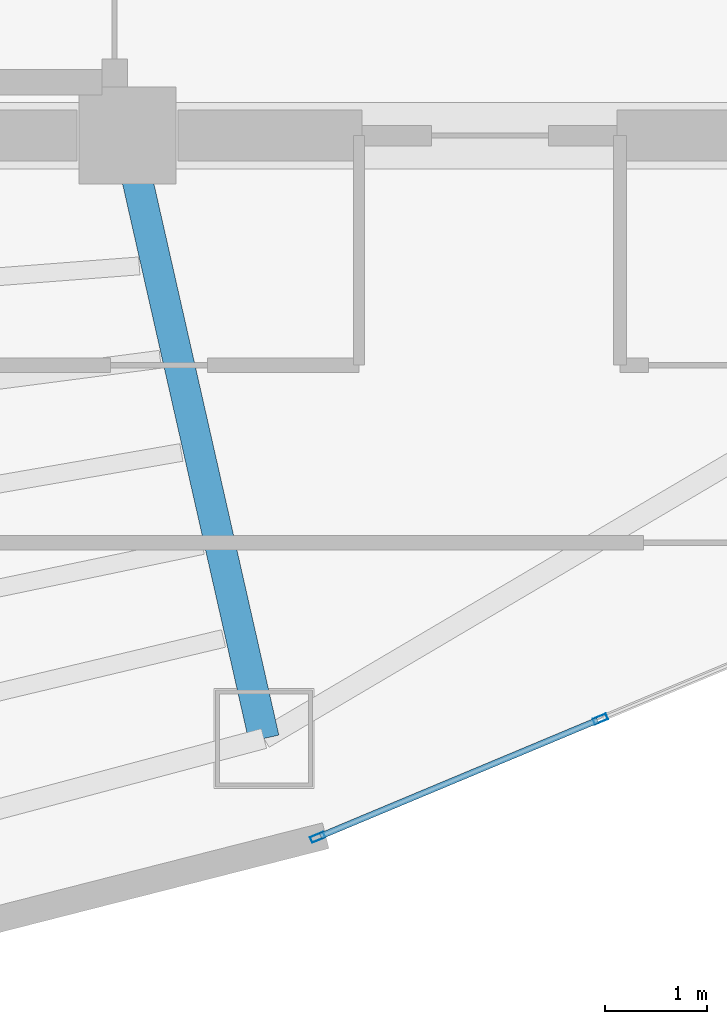
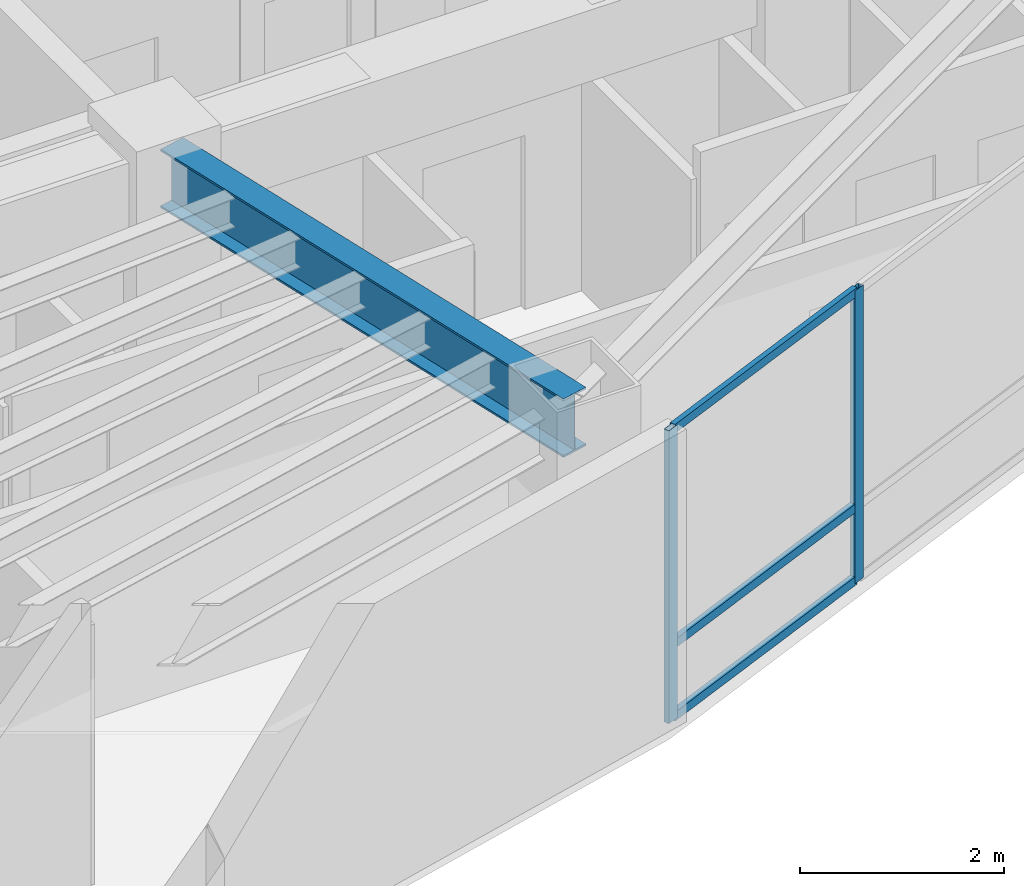
# One storey, part 2 of 16: 5 members, 1 beam, 1 element without a shape of its own.
"""IFC4 building model written with IfcOpenShell, lengths in metres."""

from ifc_helpers import new_model, si_unit, direction, frame, origin, origin_2d, place, context, subcontext, project, spatial, hollow_rectangle, i_section, extrude, material, layer, layer_set, material_profile, profile_set, type_object, element, aggregate, save


model = new_model("IFC4")

# Units and contexts
model_context = context("Model", 3, precision=1e-05, world=origin(), true_north=direction((0.0, 1.0)))
body_context = subcontext(model_context, "Body", "Model", "MODEL_VIEW")
ifc_project = project(units=[si_unit("LENGTHUNIT", "METRE"), si_unit("AREAUNIT", "SQUARE_METRE"), si_unit("VOLUMEUNIT", "CUBIC_METRE"), si_unit("PLANEANGLEUNIT", "RADIAN"), si_unit("MASSUNIT", "GRAM", prefix="KILO")], contexts=[model_context])

# Site, building, storey
site_placement = place(None, origin())
site = spatial("IfcSite", under=ifc_project, at=site_placement, CompositionType="ELEMENT")
building_placement = place(site_placement, origin())
building = spatial("IfcBuilding", under=site, at=building_placement, Name="Menara Vayukalpa", CompositionType="ELEMENT")
storey_placement = place(building_placement, frame((0.0, 0.0, 219.5400390625)))
storey = spatial("IfcBuildingStorey", under=building, at=storey_placement, Name="L55", CompositionType="ELEMENT", Elevation=219.5400390625)

# Beam
ifc_material_1 = material(Name="Steel S355", Category="steel")
ifc_material_profile_1 = material_profile(ifc_material_1, i_section(OverallWidth=0.300048828125, OverallDepth=0.699951171875, WebThickness=0.012939453125, FlangeThickness=0.02392578125, at=origin_2d()), Name="WF 700x300x13x24")
ifc_profile_set_1 = profile_set([ifc_material_profile_1], Name="Steel S355")
beam_type = type_object("IfcBeamType", Name="BM-PG5", PredefinedType="BEAM", material=ifc_profile_set_1)
beam_placement = place(storey_placement, frame((22.105224609375, 16.956298828125, 3.14990234375), z_axis=(0.221085149161, -0.975254508741, 0.0), x_axis=(0.975254508741, 0.221085149161, 0.0)))
element("IfcBeam", 1, at=beam_placement, inside=storey, type_object=beam_type, Name="L55 Primary Radial Girder RG08", PredefinedType="BEAM", context=body_context, shape_type="SweptSolid", body=[
    extrude(i_section(OverallWidth=0.300048828125, OverallDepth=0.699951171875, WebThickness=0.012939453125, FlangeThickness=0.02392578125, at=origin_2d()), origin(), (0.0, 0.0, 1.0), 5.80859375),
])

# Curtain wall, members
ifc_material_2 = material(Name="Anodised Terracotta Aluminium Alloy 6063-T6", Category="masonry")
ifc_layer = layer(ifc_material_2, 0.139892578125)
ifc_layer_set = layer_set([ifc_layer], Name="Anodised Terracotta Aluminium Alloy 6063-T6")
curtain_wall_type = type_object("IfcCurtainWallType", Name="CW-CW5", PredefinedType="USERDEFINED", material=ifc_layer_set)
curtain_wall_placement = place(storey_placement, origin())
curtain_wall = element("IfcCurtainWall", 2, at=curtain_wall_placement, inside=storey, type_object=curtain_wall_type, Name="L55 High Rise Tapered Curtain Wall CW5 16", ObjectType="UNITISED", PredefinedType="USERDEFINED")
ifc_material_3 = material(Name="Anodised Terracotta Aluminium Alloy 6063-T6", Category="masonry")
ifc_material_profile_2 = material_profile(ifc_material_3, hollow_rectangle(XDim=0.06005859375, YDim=0.139892578125, WallThickness=0.00341796875, at=origin_2d()), Name="ALU 60x140x3.5")
ifc_profile_set_2 = profile_set([ifc_material_profile_2], Name="Anodised Terracotta Aluminium Alloy 6063-T6")
member_type_1 = type_object("IfcMemberType", Name="CWM-CW5", PredefinedType="MULLION", material=ifc_profile_set_2)
member_1_placement = place(storey_placement, frame((23.916259765625, 10.322998046875, 0.0), z_axis=(0.0, 0.0, 1.0), x_axis=(-0.385902834406, 0.922539431351, 0.0)))
member_1 = element("IfcMember", 3, at=member_1_placement, type_object=member_type_1, Name="CW5 mullion 1", PredefinedType="MULLION", context=body_context, shape_type="SweptSolid", body=[
    extrude(hollow_rectangle(XDim=0.06005859375, YDim=0.139892578125, WallThickness=0.00341796875, at=origin_2d()), origin(), (0.0, 0.0, 1.0), 3.5),
])
member_2_placement = place(storey_placement, frame((26.686279296875, 11.481689453125, 0.0), z_axis=(0.0, 0.0, 1.0), x_axis=(-0.385902834406, 0.922539431351, 0.0)))
member_2 = element("IfcMember", 4, at=member_2_placement, type_object=member_type_1, Name="CW5 mullion 2", PredefinedType="MULLION", context=body_context, shape_type="SweptSolid", body=[
    extrude(hollow_rectangle(XDim=0.06005859375, YDim=0.139892578125, WallThickness=0.00341796875, at=origin_2d()), origin(), (0.0, 0.0, 1.0), 3.5),
])
ifc_material_4 = material(Name="Anodised Terracotta Aluminium Alloy 6063-T6", Category="masonry")
ifc_material_profile_3 = material_profile(ifc_material_4, hollow_rectangle(XDim=0.06005859375, YDim=0.10498046875, WallThickness=0.0029296875, at=origin_2d()), Name="ALU 60x105x3")
ifc_profile_set_3 = profile_set([ifc_material_profile_3], Name="Anodised Terracotta Aluminium Alloy 6063-T6")
member_type_2 = type_object("IfcMemberType", Name="CWT-CW5", PredefinedType="USERDEFINED", material=ifc_profile_set_3)
member_3_placement = place(storey_placement, frame((23.94384765625, 10.33447265625, 0.030029296875), z_axis=(0.922543360613, 0.385893440976, 0.0), x_axis=(-0.385893440976, 0.922543360613, 0.0)))
member_3 = element("IfcMember", 5, at=member_3_placement, type_object=member_type_2, Name="CW5 transom 1.1", ObjectType="TRANSOM", PredefinedType="USERDEFINED", context=body_context, shape_type="SweptSolid", body=[
    extrude(hollow_rectangle(XDim=0.06005859375, YDim=0.10498046875, WallThickness=0.0029296875, at=origin_2d()), origin(), (0.0, 0.0, 1.0), 2.942626953125),
])
member_4_placement = place(storey_placement, frame((23.94384765625, 10.33447265625, 0.89990234375), z_axis=(0.922543360613, 0.385893440976, 0.0), x_axis=(-0.385893440976, 0.922543360613, 0.0)))
member_4 = element("IfcMember", 6, at=member_4_placement, type_object=member_type_2, Name="CW5 transom 1.2", ObjectType="TRANSOM", PredefinedType="USERDEFINED", context=body_context, shape_type="SweptSolid", body=[
    extrude(hollow_rectangle(XDim=0.06005859375, YDim=0.10498046875, WallThickness=0.0029296875, at=origin_2d()), origin(), (0.0, 0.0, 1.0), 2.942626953125),
])
member_5_placement = place(storey_placement, frame((23.94384765625, 10.33447265625, 3.469970703125), z_axis=(0.922543360613, 0.385893440976, 0.0), x_axis=(-0.385893440976, 0.922543360613, 0.0)))
member_5 = element("IfcMember", 7, at=member_5_placement, type_object=member_type_2, Name="CW5 transom 1.3", ObjectType="TRANSOM", PredefinedType="USERDEFINED", context=body_context, shape_type="SweptSolid", body=[
    extrude(hollow_rectangle(XDim=0.06005859375, YDim=0.10498046875, WallThickness=0.0029296875, at=origin_2d()), origin(), (0.0, 0.0, 1.0), 2.942626953125),
])
aggregate(curtain_wall, [member_1, member_2, member_3, member_4, member_5])

save(model, "model.ifc")
